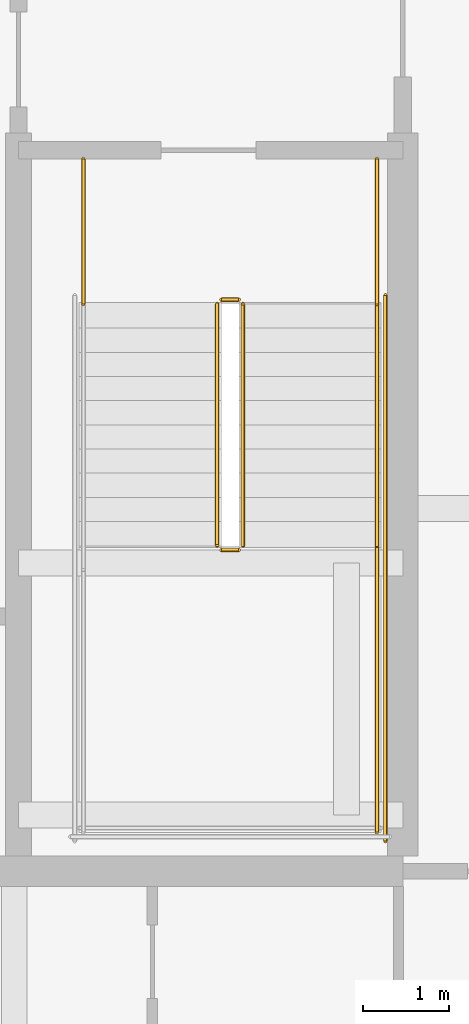
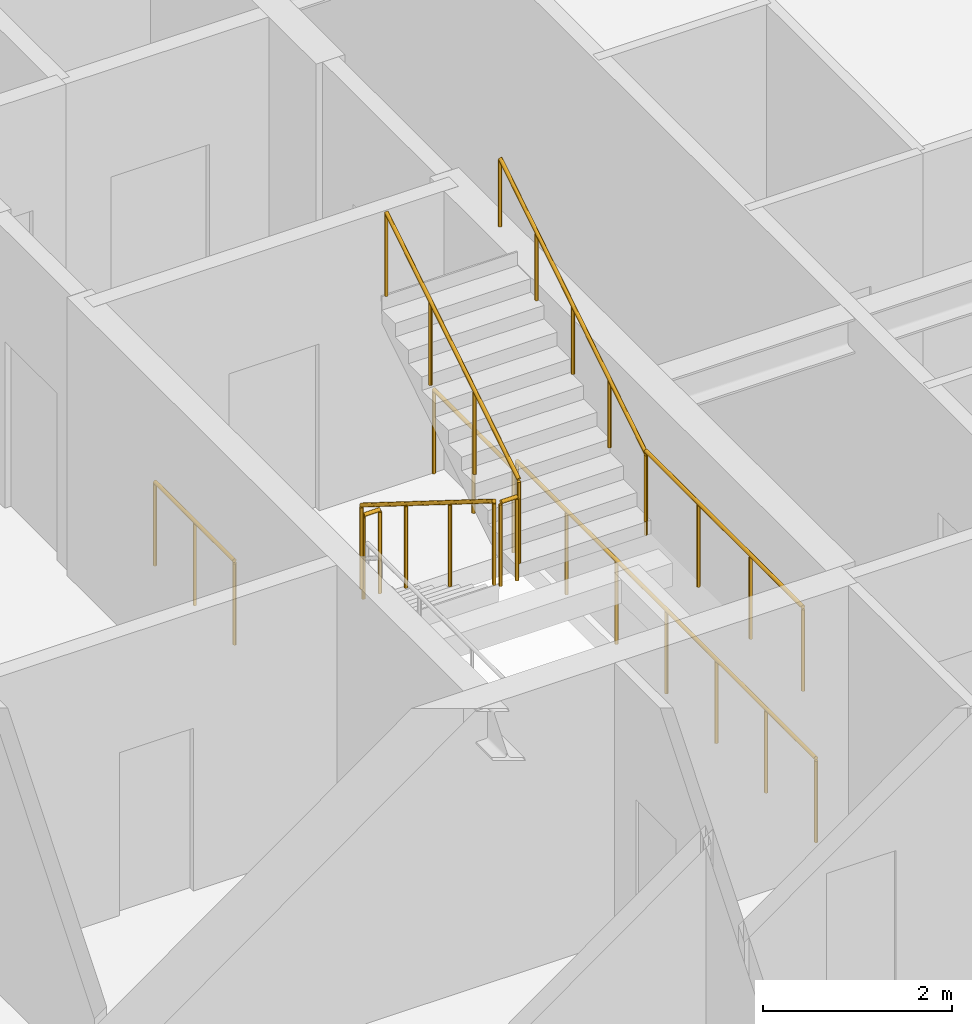
# One storey, part 35 of 37: 9 railings.
"""IFC4 building model written with IfcOpenShell, lengths in metres."""

import ifcopenshell
import ifcopenshell.guid

model = None  # the IFC model being written
_history = None  # IfcOwnerHistory: only IFC2X3 demands one
_inside = {}  # id of a spatial element -> (the spatial element, [elements in it])
_under = {}  # id of a project, library or spatial element -> (it, [spatial elements below it])
_declared = {}  # id of a project -> (the project, [libraries it declares])
_typed = {}  # id of a type object -> (the type object, [elements of that type])
_made_of = {}  # id of a material, layer set ... -> (it, [elements and type objects made of it])


def new_model(schema):
    """Start an empty IFC model of exactly this schema.

    Asked for "IFC4X3", IfcOpenShell would pick the latest addendum, in which some entities
    have other attributes; the version numbers below select the first issue.
    IFC2X3 requires an IfcOwnerHistory on every rooted entity: one is made here for all.
    """
    global model, _history
    if schema == "IFC4X3":
        model = ifcopenshell.file(schema_version=(4, 3, 0, 0))
    else:
        model = ifcopenshell.file(schema=schema)
    _inside.clear()
    _under.clear()
    _declared.clear()
    _typed.clear()
    _made_of.clear()
    _history = None
    if model.schema == "IFC2X3":
        org = make("IfcOrganization", Name="unknown")
        user = make(
            "IfcPersonAndOrganization",
            ThePerson=make("IfcPerson", FamilyName="unknown"),
            TheOrganization=org,
        )
        app = make(
            "IfcApplication",
            ApplicationDeveloper=org,
            Version="unknown",
            ApplicationFullName="unknown",
            ApplicationIdentifier="unknown",
        )
        _history = make(
            "IfcOwnerHistory",
            OwningUser=user,
            OwningApplication=app,
            ChangeAction="ADDED",
            CreationDate=0,
        )
    return model


def make(cls, **values):
    """One entity of the class cls with the attributes given. An attribute that is None is left unset."""
    return model.create_entity(
        cls, **{name: value for name, value in values.items() if value is not None}
    )


def rooted(cls, **values):
    """An entity with a GlobalId (a new one), such as an element, a storey or a relation."""
    return make(cls, GlobalId=ifcopenshell.guid.new(), OwnerHistory=_history, **values)


def si_unit(unit_type, name, prefix=None):
    """IfcSIUnit, for example si_unit("LENGTHUNIT", "METRE", prefix="MILLI")."""
    return make("IfcSIUnit", UnitType=unit_type, Prefix=prefix, Name=name)


def assignment(units):
    """IfcUnitAssignment: the units of a project."""
    return None if units is None else make("IfcUnitAssignment", Units=units)


def point(xyz):
    """IfcCartesianPoint."""
    return None if xyz is None else make("IfcCartesianPoint", Coordinates=xyz)


def direction(xyz):
    """IfcDirection."""
    return None if xyz is None else make("IfcDirection", DirectionRatios=xyz)


def frame(location, z_axis=None, x_axis=None):
    """IfcAxis2Placement3D, a coordinate frame: its origin and axes. An axis left out is left unset."""
    return make(
        "IfcAxis2Placement3D",
        Location=point(location),
        Axis=direction(z_axis),
        RefDirection=direction(x_axis),
    )


def frame_2d(location, x_axis=None):
    """IfcAxis2Placement2D, a coordinate frame in the plane: its origin and x axis."""
    return make(
        "IfcAxis2Placement2D", Location=point(location), RefDirection=direction(x_axis)
    )


def origin():
    """The frame at (0, 0, 0) with its axes left unset."""
    return frame((0.0, 0.0, 0.0))


def origin_2d():
    """The frame at (0, 0) in the plane with its x axis left unset."""
    return frame_2d((0.0, 0.0))


def place(relative_to, where):
    """IfcLocalPlacement: puts the frame where relative to a parent placement (None: the world)."""
    return make(
        "IfcLocalPlacement", PlacementRelTo=relative_to, RelativePlacement=where
    )


def context(
    kind, dimensions, precision=None, world=None, true_north=None, identifier=None
):
    """IfcGeometricRepresentationContext, for example the 3D "Model" context."""
    return make(
        "IfcGeometricRepresentationContext",
        ContextIdentifier=identifier,
        ContextType=kind,
        CoordinateSpaceDimension=dimensions,
        Precision=precision,
        WorldCoordinateSystem=world,
        TrueNorth=true_north,
    )


def subcontext(parent, identifier, kind, view, scale=None):
    """IfcGeometricRepresentationSubContext, for example "Body" below "Model"."""
    return make(
        "IfcGeometricRepresentationSubContext",
        ContextIdentifier=identifier,
        ContextType=kind,
        ParentContext=parent,
        TargetScale=scale,
        TargetView=view,
    )


def project(units=None, contexts=None):
    """IfcProject with its units and contexts."""
    return rooted(
        "IfcProject",
        Name="project",
        RepresentationContexts=contexts,
        UnitsInContext=assignment(units),
    )


def spatial(cls, under=None, at=None, **own):
    """A site, building, storey or space (cls), placed at a placement, below another one or the project."""
    s = rooted(cls, ObjectPlacement=at, **own)
    if under is not None:
        _under.setdefault(under.id(), (under, []))[1].append(s)
    return s


def profile(cls, at=None, kind="AREA", **sizes):
    """A parametric profile (cls). Its sizes go by their IFC names, for example OverallWidth=200.0."""
    return make(cls, ProfileType=kind, Position=at, **sizes)


def circle(**sizes):
    """IfcCircleProfileDef."""
    return profile("IfcCircleProfileDef", **sizes)


def extrude(swept, where, along, depth):
    """IfcExtrudedAreaSolid: the profile swept, set in the frame where, extruded along a direction by depth."""
    return make(
        "IfcExtrudedAreaSolid",
        SweptArea=swept,
        Position=where,
        ExtrudedDirection=direction(along),
        Depth=depth,
    )


def shape(context_of_items, identifier, shape_type, items):
    """IfcShapeRepresentation: the items that make up one representation, for example the "Body"."""
    return make(
        "IfcShapeRepresentation",
        ContextOfItems=context_of_items,
        RepresentationIdentifier=identifier,
        RepresentationType=shape_type,
        Items=items,
    )


def material(Name=None, Category=None):
    """IfcMaterial."""
    return make("IfcMaterial", Name=Name, Category=Category)


def made_of(thing, what):
    """Note that an element or type object is made of a material, layer set ...; save() writes the relation."""
    if what is not None:
        _made_of.setdefault(what.id(), (what, []))[1].append(thing)
    return thing


def type_object(cls, material=None, **own):
    """A type object (cls), such as IfcWallType, which elements share."""
    return made_of(rooted(cls, **own), material)


def element(
    cls,
    number,
    at=None,
    inside=None,
    cuts=None,
    type_object=None,
    material=None,
    context=None,
    identifier="Body",
    shape_type=None,
    held_by="IfcProductDefinitionShape",
    body=None,
    shapes=None,
    **own,
):
    """One element of the class cls, such as IfcWall. Its Tag is "e" and its number.

    at: its placement. inside: the storey or other place that contains it. cuts: it is an
    opening in that element (IfcRelVoidsElement). A single representation is given by context,
    identifier, shape_type and body (its items); several are given by shapes. held_by: the class
    of the entity that holds the representations. save() writes the other relations.
    """
    e = rooted(cls, Tag="e%d" % number, ObjectPlacement=at, **own)
    if body is not None:
        shapes = [shape(context, identifier, shape_type, body)]
    if shapes is not None:
        e.Representation = make(held_by, Representations=shapes)
    if inside is not None:
        _inside.setdefault(inside.id(), (inside, []))[1].append(e)
    if cuts is not None:
        rooted(
            "IfcRelVoidsElement", RelatingBuildingElement=cuts, RelatedOpeningElement=e
        )
    if type_object is not None:
        _typed.setdefault(type_object.id(), (type_object, []))[1].append(e)
    return made_of(e, material)


def aggregate(whole, parts):
    """IfcRelAggregates: a whole, such as a stair, and the parts it consists of."""
    return rooted("IfcRelAggregates", RelatingObject=whole, RelatedObjects=parts)


def save(model, path):
    """Write the relations noted so far, then the file.

    IfcRelAggregates (storeys below a building ...), IfcRelContainedInSpatialStructure (elements
    in a storey), IfcRelDefinesByType, IfcRelAssociatesMaterial and IfcRelDeclares: one each for
    every whole, place, type object, material and project.
    """
    for whole, parts in _under.values():
        aggregate(whole, parts)
    for where, things in _inside.values():
        rooted(
            "IfcRelContainedInSpatialStructure",
            RelatedElements=things,
            RelatingStructure=where,
        )
    for kind, things in _typed.values():
        rooted("IfcRelDefinesByType", RelatedObjects=things, RelatingType=kind)
    for what, things in _made_of.values():
        rooted("IfcRelAssociatesMaterial", RelatedObjects=things, RelatingMaterial=what)
    for by, libraries in _declared.values():
        rooted("IfcRelDeclares", RelatingContext=by, RelatedDefinitions=libraries)
    model.write(path)


model = new_model("IFC4")

# Units and contexts
model_context = context("Model", 3, precision=1e-05, world=origin(), true_north=direction((0.0, 1.0)))
body_context = subcontext(model_context, "Body", "Model", "MODEL_VIEW")
ifc_project = project(units=[si_unit("LENGTHUNIT", "METRE"), si_unit("AREAUNIT", "SQUARE_METRE"), si_unit("VOLUMEUNIT", "CUBIC_METRE"), si_unit("PLANEANGLEUNIT", "RADIAN"), si_unit("MASSUNIT", "GRAM", prefix="KILO")], contexts=[model_context])

# Site, building, storey
site_placement = place(None, origin())
site = spatial("IfcSite", under=ifc_project, at=site_placement, CompositionType="ELEMENT")
building_placement = place(site_placement, origin())
building = spatial("IfcBuilding", under=site, at=building_placement, Name="Serunith Strait Residences", CompositionType="ELEMENT")
storey_placement = place(building_placement, frame((0.0, 0.0, 218.14990234375)))
storey = spatial("IfcBuildingStorey", under=building, at=storey_placement, Name="L54", CompositionType="ELEMENT", Elevation=218.14990234375)

# Railings
ifc_material = material(Name="Brushed stainless steel 316L", Category="steel")
railing_type_1 = type_object("IfcRailingType", Name="RLG-STAIR-GUARD", PredefinedType="BALUSTRADE", material=ifc_material)
railing_1_placement = place(storey_placement, frame((39.25, 23.3701171875, 0.175048828125)))
element("IfcRailing", 1, at=railing_1_placement, inside=storey, type_object=railing_type_1, Name="L54 ST-2 stair guard 1", PredefinedType="BALUSTRADE", context=body_context, shape_type="SweptSolid", body=[
    extrude(circle(Radius=0.02392578125, at=origin_2d()), frame((0.0, -0.001708984375, 1.0771484375), z_axis=(0.0, -0.848002457836, 0.529992293815), x_axis=(1.0, 0.0, 0.0)), (0.0, 0.0, 1.0), 3.2978515625),
    extrude(circle(Radius=0.02099609375, at=origin_2d()), origin(), (0.0, 0.0, 1.0), 1.050048828125),
    extrude(circle(Radius=0.02099609375, at=origin_2d()), frame((0.0, -0.933349609375, 0.583251953125)), (0.0, 0.0, 1.0), 1.050048828125),
    extrude(circle(Radius=0.02099609375, at=origin_2d()), frame((0.0, -1.86669921875, 1.166748046875)), (0.0, 0.0, 1.0), 1.050048828125),
    extrude(circle(Radius=0.02099609375, at=origin_2d()), frame((0.0, -2.800048828125, 1.75)), (0.0, 0.0, 1.0), 1.050048828125),
])
railing_2_placement = place(storey_placement, frame((39.300048828125, 20.52001953125, 1.925048828125)))
element("IfcRailing", 2, at=railing_2_placement, inside=storey, type_object=railing_type_1, Name="L54 ST-2 stair guard 2", PredefinedType="BALUSTRADE", context=body_context, shape_type="SweptSolid", body=[
    extrude(circle(Radius=0.02392578125, at=origin_2d()), frame((0.001953125, 0.0, 1.076171875), z_axis=(1.0, 0.0, 0.0), x_axis=(0.0, 1.0, 0.0)), (0.0, 0.0, 1.0), 0.196044921875),
    extrude(circle(Radius=0.02099609375, at=origin_2d()), origin(), (0.0, 0.0, 1.0), 1.050048828125),
    extrude(circle(Radius=0.02099609375, at=origin_2d()), frame((0.199951171875, 0.0, 0.0)), (0.0, 0.0, 1.0), 1.050048828125),
])
railing_3_placement = place(storey_placement, frame((41.10009765625, 20.570068359375, 1.925048828125)))
element("IfcRailing", 3, at=railing_3_placement, inside=storey, type_object=railing_type_1, Name="L54 ST-2 stair guard 4", PredefinedType="BALUSTRADE", context=body_context, shape_type="SweptSolid", body=[
    extrude(circle(Radius=0.02392578125, at=origin_2d()), frame((0.0, -0.001953125, 1.076171875), z_axis=(0.0, -1.0, 0.0), x_axis=(1.0, 0.0, 0.0)), (0.0, 0.0, 1.0), 3.316162109375),
    extrude(circle(Radius=0.02099609375, at=origin_2d()), origin(), (0.0, 0.0, 1.0), 1.050048828125),
    extrude(circle(Radius=0.02099609375, at=origin_2d()), frame((0.0, -1.106689453125, 0.0)), (0.0, 0.0, 1.0), 1.050048828125),
    extrude(circle(Radius=0.02099609375, at=origin_2d()), frame((0.0, -2.21337890625, 0.0)), (0.0, 0.0, 1.0), 1.050048828125),
    extrude(circle(Radius=0.02099609375, at=origin_2d()), frame((0.0, -3.320068359375, 0.0)), (0.0, 0.0, 1.0), 1.050048828125),
])
railing_4_placement = place(storey_placement, frame((39.550048828125, 20.570068359375, 2.10009765625)))
element("IfcRailing", 4, at=railing_4_placement, inside=storey, type_object=railing_type_1, Name="L54 ST-2 stair guard 6", PredefinedType="BALUSTRADE", context=body_context, shape_type="SweptSolid", body=[
    extrude(circle(Radius=0.02392578125, at=origin_2d()), frame((0.0, 0.001708984375, 1.0771484375), z_axis=(0.0, 0.848002457836, 0.529992293815), x_axis=(-1.0, 0.0, 0.0)), (0.0, 0.0, 1.0), 3.2978515625),
    extrude(circle(Radius=0.02099609375, at=origin_2d()), origin(), (0.0, 0.0, 1.0), 1.050048828125),
    extrude(circle(Radius=0.02099609375, at=origin_2d()), frame((0.0, 0.933349609375, 0.583251953125)), (0.0, 0.0, 1.0), 1.050048828125),
    extrude(circle(Radius=0.02099609375, at=origin_2d()), frame((0.0, 1.86669921875, 1.166748046875)), (0.0, 0.0, 1.0), 1.050048828125),
    extrude(circle(Radius=0.02099609375, at=origin_2d()), frame((0.0, 2.800048828125, 1.75)), (0.0, 0.0, 1.0), 1.050048828125),
])
railing_5_placement = place(storey_placement, frame((39.300048828125, 23.419921875, 0.0)))
element("IfcRailing", 5, at=railing_5_placement, inside=storey, type_object=railing_type_1, Name="L54 ST-2 stair guard 7", PredefinedType="BALUSTRADE", context=body_context, shape_type="SweptSolid", body=[
    extrude(circle(Radius=0.02392578125, at=origin_2d()), frame((0.001953125, 0.0, 1.076171875), z_axis=(1.0, 0.0, 0.0), x_axis=(0.0, 1.0, 0.0)), (0.0, 0.0, 1.0), 0.196044921875),
    extrude(circle(Radius=0.02099609375, at=origin_2d()), origin(), (0.0, 0.0, 1.0), 1.050048828125),
    extrude(circle(Radius=0.02099609375, at=origin_2d()), frame((0.199951171875, 0.0, 0.0)), (0.0, 0.0, 1.0), 1.050048828125),
])
for number, where, name in (
    (6, (37.699951171875, 25.050048828125, 0.0), "L54 ST-2 stair guard 8"),
    (7, (41.10009765625, 25.050048828125, 0.0), "L54 ST-2 stair guard 9"),
):
    element("IfcRailing", number, at=place(storey_placement, frame(where)), inside=storey, type_object=railing_type_1, Name=name, PredefinedType="BALUSTRADE", context=body_context, shape_type="SweptSolid", body=[
        extrude(circle(Radius=0.02392578125, at=origin_2d()), frame((0.0, -0.001953125, 1.076171875), z_axis=(0.0, -1.0, 0.0), x_axis=(1.0, 0.0, 0.0)), (0.0, 0.0, 1.0), 1.676025390625),
        extrude(circle(Radius=0.02099609375, at=origin_2d()), origin(), (0.0, 0.0, 1.0), 1.050048828125),
        extrude(circle(Radius=0.02099609375, at=origin_2d()), frame((0.0, -0.83984375, 0.0)), (0.0, 0.0, 1.0), 1.050048828125),
        extrude(circle(Radius=0.02099609375, at=origin_2d()), frame((0.0, -1.679931640625, 0.0)), (0.0, 0.0, 1.0), 1.050048828125),
    ])
railing_6_placement = place(storey_placement, frame((41.199951171875, 23.469970703125, 0.0)))
element("IfcRailing", 8, at=railing_6_placement, inside=storey, type_object=railing_type_1, Name="L54 ST-2 stair guard 11", PredefinedType="BALUSTRADE", context=body_context, shape_type="SweptSolid", body=[
    extrude(circle(Radius=0.02392578125, at=origin_2d()), frame((0.0, -0.001953125, 1.076171875), z_axis=(0.0, -1.0, 0.0), x_axis=(1.0, 0.0, 0.0)), (0.0, 0.0, 1.0), 6.316162109375),
    extrude(circle(Radius=0.02099609375, at=origin_2d()), origin(), (0.0, 0.0, 1.0), 1.050048828125),
    extrude(circle(Radius=0.02099609375, at=origin_2d()), frame((0.0, -1.05322265625, 0.0)), (0.0, 0.0, 1.0), 1.050048828125),
    extrude(circle(Radius=0.02099609375, at=origin_2d()), frame((0.0, -2.106689453125, 0.0)), (0.0, 0.0, 1.0), 1.050048828125),
    extrude(circle(Radius=0.02099609375, at=origin_2d()), frame((0.0, -3.16015625, 0.0)), (0.0, 0.0, 1.0), 1.050048828125),
    extrude(circle(Radius=0.02099609375, at=origin_2d()), frame((0.0, -4.21337890625, 0.0)), (0.0, 0.0, 1.0), 1.050048828125),
    extrude(circle(Radius=0.02099609375, at=origin_2d()), frame((0.0, -5.2666015625, 0.0)), (0.0, 0.0, 1.0), 1.050048828125),
    extrude(circle(Radius=0.02099609375, at=origin_2d()), frame((0.0, -6.320068359375, 0.0)), (0.0, 0.0, 1.0), 1.050048828125),
])
railing_type_2 = type_object("IfcRailingType", Name="RLG-STAIR-HR", PredefinedType="HANDRAIL", material=ifc_material)
railing_7_placement = place(storey_placement, frame((41.10009765625, 20.570068359375, 2.10009765625)))
element("IfcRailing", 9, at=railing_7_placement, inside=storey, type_object=railing_type_2, Name="L54 ST-2 stair handrail 2", PredefinedType="HANDRAIL", context=body_context, shape_type="SweptSolid", body=[
    extrude(circle(Radius=0.02392578125, at=origin_2d()), frame((0.0, 0.001708984375, 0.876953125), z_axis=(0.0, 0.847375056783, 0.530994833442), x_axis=(-1.0, 0.0, 0.0)), (0.0, 0.0, 1.0), 3.630615234375),
    extrude(circle(Radius=0.02099609375, at=origin_2d()), origin(), (0.0, 0.0, 1.0), 0.849853515625),
    extrude(circle(Radius=0.02099609375, at=origin_2d()), frame((0.0, 0.77001953125, 0.482421875)), (0.0, 0.0, 1.0), 0.849853515625),
    extrude(circle(Radius=0.02099609375, at=origin_2d()), frame((0.0, 1.5400390625, 0.96484375)), (0.0, 0.0, 1.0), 0.849853515625),
    extrude(circle(Radius=0.02099609375, at=origin_2d()), frame((0.0, 2.309814453125, 1.447509765625)), (0.0, 0.0, 1.0), 0.849853515625),
    extrude(circle(Radius=0.02099609375, at=origin_2d()), frame((0.0, 3.079833984375, 1.929931640625)), (0.0, 0.0, 1.0), 0.849853515625),
])

save(model, "model.ifc")
